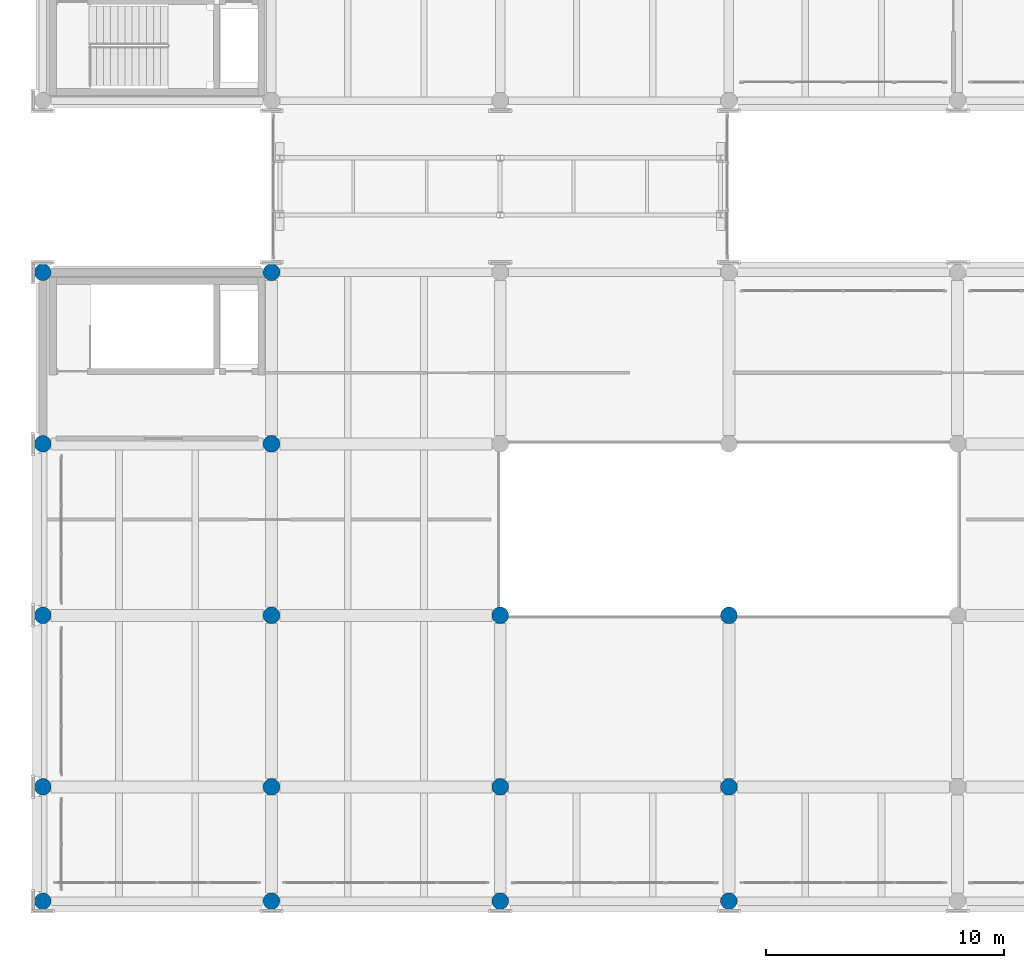
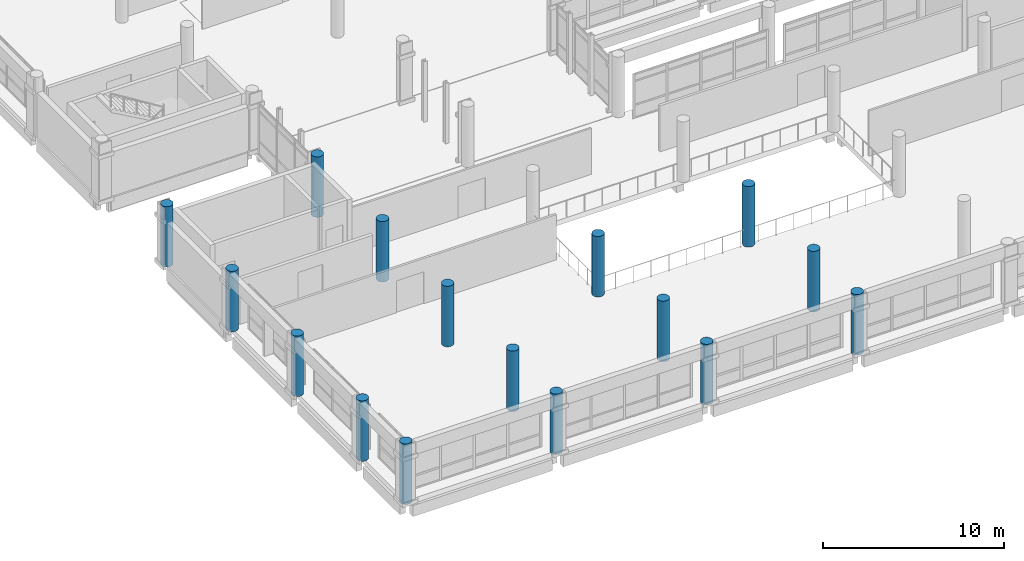
# One storey, part 1 of 180: 16 columns.
"""IFC4 building model written with IfcOpenShell, lengths in metres."""

import ifcopenshell
import ifcopenshell.guid

model = None  # the IFC model being written
_history = None  # IfcOwnerHistory: only IFC2X3 demands one
_inside = {}  # id of a spatial element -> (the spatial element, [elements in it])
_under = {}  # id of a project, library or spatial element -> (it, [spatial elements below it])
_declared = {}  # id of a project -> (the project, [libraries it declares])
_typed = {}  # id of a type object -> (the type object, [elements of that type])
_made_of = {}  # id of a material, layer set ... -> (it, [elements and type objects made of it])


def new_model(schema):
    """Start an empty IFC model of exactly this schema.

    Asked for "IFC4X3", IfcOpenShell would pick the latest addendum, in which some entities
    have other attributes; the version numbers below select the first issue.
    IFC2X3 requires an IfcOwnerHistory on every rooted entity: one is made here for all.
    """
    global model, _history
    if schema == "IFC4X3":
        model = ifcopenshell.file(schema_version=(4, 3, 0, 0))
    else:
        model = ifcopenshell.file(schema=schema)
    _inside.clear()
    _under.clear()
    _declared.clear()
    _typed.clear()
    _made_of.clear()
    _history = None
    if model.schema == "IFC2X3":
        org = make("IfcOrganization", Name="unknown")
        user = make(
            "IfcPersonAndOrganization",
            ThePerson=make("IfcPerson", FamilyName="unknown"),
            TheOrganization=org,
        )
        app = make(
            "IfcApplication",
            ApplicationDeveloper=org,
            Version="unknown",
            ApplicationFullName="unknown",
            ApplicationIdentifier="unknown",
        )
        _history = make(
            "IfcOwnerHistory",
            OwningUser=user,
            OwningApplication=app,
            ChangeAction="ADDED",
            CreationDate=0,
        )
    return model


def make(cls, **values):
    """One entity of the class cls with the attributes given. An attribute that is None is left unset."""
    return model.create_entity(
        cls, **{name: value for name, value in values.items() if value is not None}
    )


def rooted(cls, **values):
    """An entity with a GlobalId (a new one), such as an element, a storey or a relation."""
    return make(cls, GlobalId=ifcopenshell.guid.new(), OwnerHistory=_history, **values)


def si_unit(unit_type, name, prefix=None):
    """IfcSIUnit, for example si_unit("LENGTHUNIT", "METRE", prefix="MILLI")."""
    return make("IfcSIUnit", UnitType=unit_type, Prefix=prefix, Name=name)


def assignment(units):
    """IfcUnitAssignment: the units of a project."""
    return None if units is None else make("IfcUnitAssignment", Units=units)


def point(xyz):
    """IfcCartesianPoint."""
    return None if xyz is None else make("IfcCartesianPoint", Coordinates=xyz)


def direction(xyz):
    """IfcDirection."""
    return None if xyz is None else make("IfcDirection", DirectionRatios=xyz)


def frame(location, z_axis=None, x_axis=None):
    """IfcAxis2Placement3D, a coordinate frame: its origin and axes. An axis left out is left unset."""
    return make(
        "IfcAxis2Placement3D",
        Location=point(location),
        Axis=direction(z_axis),
        RefDirection=direction(x_axis),
    )


def frame_2d(location, x_axis=None):
    """IfcAxis2Placement2D, a coordinate frame in the plane: its origin and x axis."""
    return make(
        "IfcAxis2Placement2D", Location=point(location), RefDirection=direction(x_axis)
    )


def origin():
    """The frame at (0, 0, 0) with its axes left unset."""
    return frame((0.0, 0.0, 0.0))


def origin_2d():
    """The frame at (0, 0) in the plane with its x axis left unset."""
    return frame_2d((0.0, 0.0))


def place(relative_to, where):
    """IfcLocalPlacement: puts the frame where relative to a parent placement (None: the world)."""
    return make(
        "IfcLocalPlacement", PlacementRelTo=relative_to, RelativePlacement=where
    )


def context(
    kind, dimensions, precision=None, world=None, true_north=None, identifier=None
):
    """IfcGeometricRepresentationContext, for example the 3D "Model" context."""
    return make(
        "IfcGeometricRepresentationContext",
        ContextIdentifier=identifier,
        ContextType=kind,
        CoordinateSpaceDimension=dimensions,
        Precision=precision,
        WorldCoordinateSystem=world,
        TrueNorth=true_north,
    )


def subcontext(parent, identifier, kind, view, scale=None):
    """IfcGeometricRepresentationSubContext, for example "Body" below "Model"."""
    return make(
        "IfcGeometricRepresentationSubContext",
        ContextIdentifier=identifier,
        ContextType=kind,
        ParentContext=parent,
        TargetScale=scale,
        TargetView=view,
    )


def project(units=None, contexts=None):
    """IfcProject with its units and contexts."""
    return rooted(
        "IfcProject",
        Name="project",
        RepresentationContexts=contexts,
        UnitsInContext=assignment(units),
    )


def spatial(cls, under=None, at=None, **own):
    """A site, building, storey or space (cls), placed at a placement, below another one or the project."""
    s = rooted(cls, ObjectPlacement=at, **own)
    if under is not None:
        _under.setdefault(under.id(), (under, []))[1].append(s)
    return s


def profile(cls, at=None, kind="AREA", **sizes):
    """A parametric profile (cls). Its sizes go by their IFC names, for example OverallWidth=200.0."""
    return make(cls, ProfileType=kind, Position=at, **sizes)


def circle(**sizes):
    """IfcCircleProfileDef."""
    return profile("IfcCircleProfileDef", **sizes)


def extrude(swept, where, along, depth):
    """IfcExtrudedAreaSolid: the profile swept, set in the frame where, extruded along a direction by depth."""
    return make(
        "IfcExtrudedAreaSolid",
        SweptArea=swept,
        Position=where,
        ExtrudedDirection=direction(along),
        Depth=depth,
    )


def shape(context_of_items, identifier, shape_type, items):
    """IfcShapeRepresentation: the items that make up one representation, for example the "Body"."""
    return make(
        "IfcShapeRepresentation",
        ContextOfItems=context_of_items,
        RepresentationIdentifier=identifier,
        RepresentationType=shape_type,
        Items=items,
    )


def material(Name=None, Category=None):
    """IfcMaterial."""
    return make("IfcMaterial", Name=Name, Category=Category)


def material_profile(
    of_material, cross_section, Name=None, Category=None, Priority=None
):
    """IfcMaterialProfile: a cross section and its material."""
    return make(
        "IfcMaterialProfile",
        Name=Name,
        Material=of_material,
        Profile=cross_section,
        Priority=Priority,
        Category=Category,
    )


def profile_set(profiles, Name=None, composite=None):
    """IfcMaterialProfileSet."""
    return make(
        "IfcMaterialProfileSet",
        Name=Name,
        MaterialProfiles=profiles,
        CompositeProfile=composite,
    )


def made_of(thing, what):
    """Note that an element or type object is made of a material, layer set ...; save() writes the relation."""
    if what is not None:
        _made_of.setdefault(what.id(), (what, []))[1].append(thing)
    return thing


def type_object(cls, material=None, **own):
    """A type object (cls), such as IfcWallType, which elements share."""
    return made_of(rooted(cls, **own), material)


def element(
    cls,
    number,
    at=None,
    inside=None,
    cuts=None,
    type_object=None,
    material=None,
    context=None,
    identifier="Body",
    shape_type=None,
    held_by="IfcProductDefinitionShape",
    body=None,
    shapes=None,
    **own,
):
    """One element of the class cls, such as IfcWall. Its Tag is "e" and its number.

    at: its placement. inside: the storey or other place that contains it. cuts: it is an
    opening in that element (IfcRelVoidsElement). A single representation is given by context,
    identifier, shape_type and body (its items); several are given by shapes. held_by: the class
    of the entity that holds the representations. save() writes the other relations.
    """
    e = rooted(cls, Tag="e%d" % number, ObjectPlacement=at, **own)
    if body is not None:
        shapes = [shape(context, identifier, shape_type, body)]
    if shapes is not None:
        e.Representation = make(held_by, Representations=shapes)
    if inside is not None:
        _inside.setdefault(inside.id(), (inside, []))[1].append(e)
    if cuts is not None:
        rooted(
            "IfcRelVoidsElement", RelatingBuildingElement=cuts, RelatedOpeningElement=e
        )
    if type_object is not None:
        _typed.setdefault(type_object.id(), (type_object, []))[1].append(e)
    return made_of(e, material)


def aggregate(whole, parts):
    """IfcRelAggregates: a whole, such as a stair, and the parts it consists of."""
    return rooted("IfcRelAggregates", RelatingObject=whole, RelatedObjects=parts)


def save(model, path):
    """Write the relations noted so far, then the file.

    IfcRelAggregates (storeys below a building ...), IfcRelContainedInSpatialStructure (elements
    in a storey), IfcRelDefinesByType, IfcRelAssociatesMaterial and IfcRelDeclares: one each for
    every whole, place, type object, material and project.
    """
    for whole, parts in _under.values():
        aggregate(whole, parts)
    for where, things in _inside.values():
        rooted(
            "IfcRelContainedInSpatialStructure",
            RelatedElements=things,
            RelatingStructure=where,
        )
    for kind, things in _typed.values():
        rooted("IfcRelDefinesByType", RelatedObjects=things, RelatingType=kind)
    for what, things in _made_of.values():
        rooted("IfcRelAssociatesMaterial", RelatedObjects=things, RelatingMaterial=what)
    for by, libraries in _declared.values():
        rooted("IfcRelDeclares", RelatingContext=by, RelatedDefinitions=libraries)
    model.write(path)


model = new_model("IFC4")

# Units and contexts
model_context = context("Model", 3, precision=1e-05, world=origin(), true_north=direction((0.0, 1.0)))
body_context = subcontext(model_context, "Body", "Model", "MODEL_VIEW")
ifc_project = project(units=[si_unit("LENGTHUNIT", "METRE"), si_unit("AREAUNIT", "SQUARE_METRE"), si_unit("VOLUMEUNIT", "CUBIC_METRE"), si_unit("PLANEANGLEUNIT", "RADIAN"), si_unit("MASSUNIT", "GRAM", prefix="KILO")], contexts=[model_context])

# Site, building, storey
site_placement = place(None, origin())
site = spatial("IfcSite", under=ifc_project, at=site_placement, CompositionType="ELEMENT")
building_placement = place(site_placement, origin())
building = spatial("IfcBuilding", under=site, at=building_placement, Name="Asteropetra Specialist Clinic", CompositionType="ELEMENT")
storey_placement = place(building_placement, frame((0.0, 0.0, 4.419921875)))
storey = spatial("IfcBuildingStorey", under=building, at=storey_placement, Name="L01", CompositionType="ELEMENT", Elevation=4.419921875)

# Columns
ifc_material = material(Name="Concrete C35/45", Category="concrete")
ifc_material_profile = material_profile(ifc_material, circle(Radius=0.35009765625, at=origin_2d()), Name="RCC D700")
ifc_profile_set = profile_set([ifc_material_profile], Name="Concrete C35/45")
column_type = type_object("IfcColumnType", Name="COL-DORIC700", PredefinedType="COLUMN", material=ifc_profile_set)
for number, where, z_axis, x_axis, name in (
    (1, (0.0, 0.0, 0.0), (0.0, 0.0, 1.0), (1.0, 0.0, 0.0), "Column CCOL13-0003"),
    (2, (0.0, 4.800048828125, 0.0), (0.0, 0.0, 1.0), (1.0, 0.0, 0.0), "Column CCOL13-0006"),
    (3, (0.0, 12.0, 0.0), (0.0, 0.0, 1.0), (1.0, 0.0, 0.0), "Column CCOL13-0009"),
    (4, (0.0, 19.199951171875, 0.0), (0.0, 0.0, 1.0), (1.0, 0.0, 0.0), "Column CCOL13-0012"),
    (5, (0.0, 26.39990234375, 0.0), (0.0, 0.0, 1.0), (1.0, 0.0, 0.0), "Column CCOL13-0015"),
    (6, (9.60009765625, 0.0, 0.0), (0.0, 0.0, 1.0), (1.0, 0.0, 0.0), "Column CCOL13-0083"),
    (7, (9.60009765625, 4.800048828125, 0.0), (0.0, 0.0, 1.0), (1.0, 0.0, 0.0), "Column CCOL13-0086"),
    (8, (9.60009765625, 12.0, 0.0), (0.0, 0.0, 1.0), (1.0, 0.0, 0.0), "Column CCOL13-0089"),
    (9, (9.60009765625, 19.199951171875, 0.0), (0.0, 0.0, 1.0), (1.0, 0.0, 0.0), "Column CCOL13-0092"),
    (10, (9.60009765625, 26.39990234375, 0.0), (0.0, 0.0, 1.0), (1.0, 0.0, 0.0), "Column CCOL13-0095"),
    (11, (19.199951171875, 0.0, 0.0), (0.0, 0.0, 1.0), (1.0, 0.0, 0.0), "Column CCOL13-0179"),
    (12, (19.199951171875, 4.800048828125, 0.0), (0.0, 0.0, 1.0), (1.0, 0.0, 0.0), "Column CCOL13-0182"),
    (13, (19.199951171875, 12.0, 0.0), (0.0, 0.0, 1.0), (1.0, 0.0, 0.0), "Column CCOL13-0185"),
    (14, (28.800048828125, 0.0, 0.0), (0.0, 0.0, 1.0), (1.0, 0.0, 0.0), "Column CCOL13-0279"),
    (15, (28.800048828125, 4.800048828125, 0.0), (0.0, 0.0, 1.0), (1.0, 0.0, 0.0), "Column CCOL13-0282"),
    (16, (28.800048828125, 12.0, 0.0), (0.0, 0.0, 1.0), (1.0, 0.0, 0.0), "Column CCOL13-0285"),
):
    element("IfcColumn", number, at=place(storey_placement, frame(where, z_axis=z_axis, x_axis=x_axis)), inside=storey, type_object=column_type, Name=name, PredefinedType="COLUMN", context=body_context, shape_type="SweptSolid", body=[
        extrude(circle(Radius=0.35009765625, at=origin_2d()), origin(), (0.0, 0.0, 1.0), 4.080078125),
    ])

save(model, "model.ifc")
